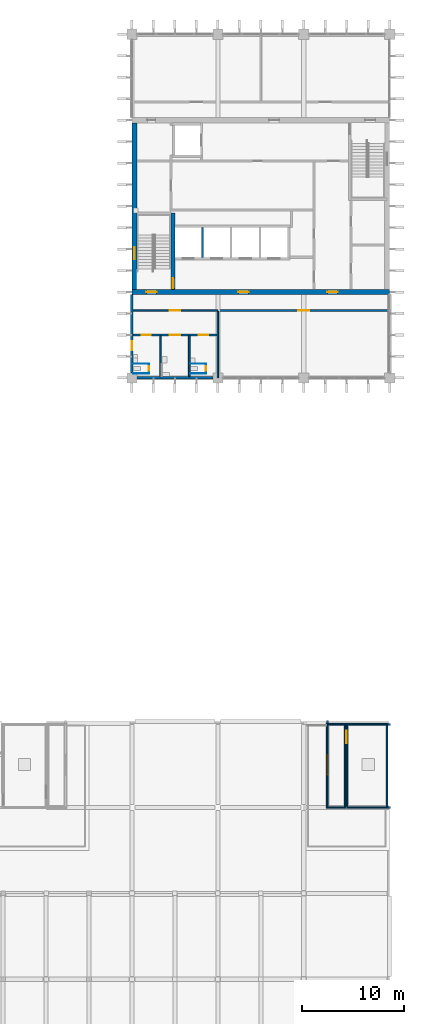
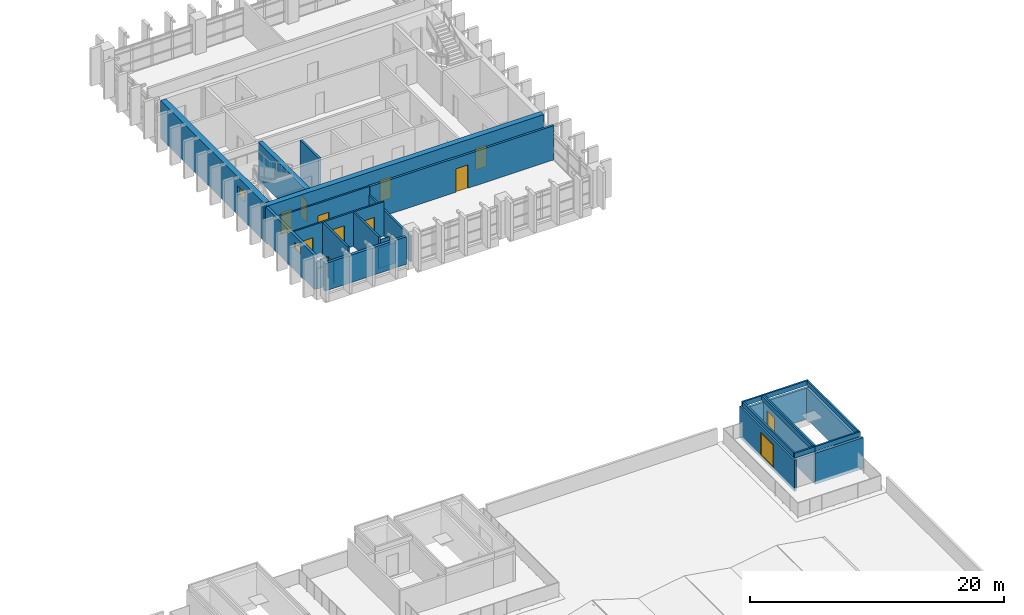
# One storey, part 17 of 24: 32 walls, 13 doors, 2 windows, 15 openings.
"""IFC4 building model written with IfcOpenShell, lengths in metres."""

from ifc_helpers import new_model, si_unit, direction, frame, frame_2d, origin, place, context, subcontext, project, spatial, rectangle, extrude, material, layer, layer_set, type_object, element, fill, save


model = new_model("IFC4")

# Units and contexts
model_context = context("Model", 3, precision=1e-05, world=origin(), true_north=direction((0.0, 1.0)))
body_context = subcontext(model_context, "Body", "Model", "MODEL_VIEW")
ifc_project = project(units=[si_unit("LENGTHUNIT", "METRE"), si_unit("AREAUNIT", "SQUARE_METRE"), si_unit("VOLUMEUNIT", "CUBIC_METRE"), si_unit("PLANEANGLEUNIT", "RADIAN"), si_unit("MASSUNIT", "GRAM", prefix="KILO")], contexts=[model_context])

# Site, building, storey
site_placement = place(None, origin())
site = spatial("IfcSite", under=ifc_project, at=site_placement, CompositionType="ELEMENT")
building_placement = place(site_placement, origin())
building = spatial("IfcBuilding", under=site, at=building_placement, Name="Rulbaag Community and Learning Centre", CompositionType="ELEMENT")
storey_placement = place(building_placement, frame((0.0, 0.0, 14.39990234375)))
storey = spatial("IfcBuildingStorey", under=building, at=storey_placement, Name="L03", CompositionType="ELEMENT", Elevation=14.39990234375)

# Walls
ifc_material_1 = material(Name="High pressure laminate", Category="wood")
ifc_layer_1 = layer(ifc_material_1, 0.0400390625)
ifc_layer_set_1 = layer_set([ifc_layer_1], Name="CP-40")
wall_type_1 = type_object("IfcWallType", Name="CP-40", PredefinedType="PARTITIONING", material=ifc_layer_set_1)
wall_1_placement = place(storey_placement, frame((142.929931640625, 84.449951171875, 0.0), z_axis=(0.0, 0.0, 1.0), x_axis=(1.0, 0.0, 0.0)))
element("IfcWall", 1, at=wall_1_placement, inside=storey, type_object=wall_type_1, Name="Cubicle partition", PredefinedType="PARTITIONING", context=body_context, shape_type="SweptSolid", body=[
    extrude(rectangle(XDim=1.5400390625, YDim=0.0400390625, at=frame_2d((0.77001953125, 0.0))), origin(), (0.0, 0.0, 1.0), 2.0),
])
wall_2_placement = place(storey_placement, frame((142.925048828125, 85.389892578125, 0.0), z_axis=(0.0, 0.0, 1.0), x_axis=(1.0, 0.0, 0.0)))
element("IfcWall", 2, at=wall_2_placement, inside=storey, type_object=wall_type_1, Name="Cubicle partition", PredefinedType="PARTITIONING", context=body_context, shape_type="SweptSolid", body=[
    extrude(rectangle(XDim=1.544921875, YDim=0.0400390625, at=frame_2d((0.7724609375, 0.0))), origin(), (0.0, 0.0, 1.0), 2.0),
])

# Wall, opening, door
wall_3_placement = place(storey_placement, frame((144.449951171875, 84.469970703125, 0.0), z_axis=(0.0, 0.0, 1.0), x_axis=(0.0, 1.0, 0.0)))
wall_3 = element("IfcWall", 3, at=wall_3_placement, inside=storey, type_object=wall_type_1, Name="Cubicle partition", PredefinedType="PARTITIONING", context=body_context, shape_type="SweptSolid", body=[
    extrude(rectangle(XDim=0.900146484375, YDim=0.0400390625, at=frame_2d((0.4501953125, 0.0))), origin(), (0.0, 0.0, 1.0), 2.0),
])
opening_1_placement = place(wall_3_placement, frame((0.050048828125, 0.0, 0.0)))
opening_1 = element("IfcOpeningElement", 4, at=opening_1_placement, cuts=wall_3, Name="Opening L03-D030", PredefinedType="OPENING", context=body_context, shape_type="SweptSolid", body=[
    extrude(rectangle(XDim=0.800048828125, YDim=2.0, at=frame_2d((0.39990234375, 1.0))), frame((0.0, 0.030029296875, 0.0), z_axis=(0.0, -1.0, 0.0), x_axis=(1.0, 0.0, 0.0)), (0.0, 0.0, 1.0), 0.06005859375),
])
door_type_1 = type_object("IfcDoorType", Name="DC-80", OperationType="SINGLE_SWING_LEFT", PredefinedType="DOOR", material=ifc_material_1)
door_1_placement = place(opening_1_placement, origin())
door_1 = element("IfcDoor", 5, at=door_1_placement, inside=storey, type_object=door_type_1, Name="Cubicle door", OperationType="SINGLE_SWING_LEFT", OverallHeight=2.0, OverallWidth=0.800048828125, PredefinedType="DOOR", context=body_context, shape_type="SweptSolid", body=[
    extrude(rectangle(XDim=0.800048828125, YDim=2.0, at=frame_2d((0.39990234375, 1.0))), frame((0.0, 0.019775390625, 0.0), z_axis=(0.0, -1.0, 0.0), x_axis=(1.0, 0.0, 0.0)), (0.0, 0.0, 1.0), 0.03955078125),
])
fill(opening_1, door_1)

# Walls
for number, where, z_axis, x_axis, name in (
    (6, (148.47509765625, 84.449951171875, 0.0), (0.0, 0.0, 1.0), (1.0, 0.0, 0.0), "Cubicle partition"),
    (7, (148.47509765625, 85.389892578125, 0.0), (0.0, 0.0, 1.0), (1.0, 0.0, 0.0), "Cubicle partition"),
):
    element("IfcWall", number, at=place(storey_placement, frame(where, z_axis=z_axis, x_axis=x_axis)), inside=storey, type_object=wall_type_1, Name=name, PredefinedType="PARTITIONING", context=body_context, shape_type="SweptSolid", body=[
        extrude(rectangle(XDim=1.594970703125, YDim=0.0400390625, at=frame_2d((0.79736328125, 0.0))), origin(), (0.0, 0.0, 1.0), 2.0),
    ])

# Wall, opening, door
wall_4_placement = place(storey_placement, frame((150.050048828125, 84.469970703125, 0.0), z_axis=(0.0, 0.0, 1.0), x_axis=(0.0, 1.0, 0.0)))
wall_4 = element("IfcWall", 8, at=wall_4_placement, inside=storey, type_object=wall_type_1, Name="Cubicle partition", PredefinedType="PARTITIONING", context=body_context, shape_type="SweptSolid", body=[
    extrude(rectangle(XDim=0.900146484375, YDim=0.0400390625, at=frame_2d((0.4501953125, 0.0))), origin(), (0.0, 0.0, 1.0), 2.0),
])
opening_2_placement = place(wall_4_placement, frame((0.050048828125, 0.0, 0.0)))
opening_2 = element("IfcOpeningElement", 9, at=opening_2_placement, cuts=wall_4, Name="Opening L03-D041", PredefinedType="OPENING", context=body_context, shape_type="SweptSolid", body=[
    extrude(rectangle(XDim=0.800048828125, YDim=2.0, at=frame_2d((0.39990234375, 1.0))), frame((0.0, 0.030029296875, 0.0), z_axis=(0.0, -1.0, 0.0), x_axis=(1.0, 0.0, 0.0)), (0.0, 0.0, 1.0), 0.06005859375),
])
door_2_placement = place(opening_2_placement, origin())
door_2 = element("IfcDoor", 10, at=door_2_placement, inside=storey, type_object=door_type_1, Name="Cubicle door", OperationType="SINGLE_SWING_LEFT", OverallHeight=2.0, OverallWidth=0.800048828125, PredefinedType="DOOR", context=body_context, shape_type="SweptSolid", body=[
    extrude(rectangle(XDim=0.800048828125, YDim=2.0, at=frame_2d((0.39990234375, 1.0))), frame((0.0, 0.019775390625, 0.0), z_axis=(0.0, -1.0, 0.0), x_axis=(1.0, 0.0, 0.0)), (0.0, 0.0, 1.0), 0.03955078125),
])
fill(opening_2, door_2)

# Wall
ifc_material_2 = material(Name="Concrete M40", Category="concrete")
ifc_layer_2 = layer(ifc_material_2, 0.25)
ifc_layer_set_2 = layer_set([ifc_layer_2], Name="EW-CONC250")
wall_type_2 = type_object("IfcWallType", Name="EW-CONC250", PredefinedType="STANDARD", material=ifc_layer_set_2)
wall_5_placement = place(storey_placement, frame((143.300048828125, 84.0, 0.0), z_axis=(0.0, 0.0, 1.0), x_axis=(1.0, 0.0, 0.0)))
element("IfcWall", 11, at=wall_5_placement, inside=storey, type_object=wall_type_2, Name="Board-marked concrete cladding wall BS", PredefinedType="STANDARD", context=body_context, shape_type="SweptSolid", body=[
    extrude(rectangle(XDim=7.39990234375, YDim=0.25, at=frame_2d((3.699951171875, 0.0))), origin(), (0.0, 0.0, 1.0), 2.650146484375),
])

# Wall, opening, window
wall_6_placement = place(storey_placement, frame((142.800048828125, 84.5, 0.0), z_axis=(0.0, 0.0, 1.0), x_axis=(0.0, 1.0, 0.0)))
wall_6 = element("IfcWall", 12, at=wall_6_placement, inside=storey, type_object=wall_type_2, Name="Board-marked concrete cladding wall BW", PredefinedType="STANDARD", context=body_context, shape_type="SweptSolid", body=[
    extrude(rectangle(XDim=7.64990234375, YDim=0.25, at=frame_2d((3.824951171875, 0.0))), origin(), (0.0, 0.0, 1.0), 3.300048828125),
])
opening_3_placement = place(wall_6_placement, frame((2.199951171875, 0.0, 2.10009765625)))
opening_3 = element("IfcOpeningElement", 13, at=opening_3_placement, cuts=wall_6, Name="Opening WN5", PredefinedType="OPENING", context=body_context, shape_type="SweptSolid", body=[
    extrude(rectangle(XDim=0.89990234375, YDim=0.60009765625, at=frame_2d((0.449951171875, 0.300048828125))), frame((0.0, 0.135009765625, 0.0), z_axis=(0.0, -1.0, 0.0), x_axis=(1.0, 0.0, 0.0)), (0.0, 0.0, 1.0), 0.27001953125),
])
ifc_material_3 = material(Name="Aluminium", Category="aluminium")
window_type_1 = type_object("IfcWindowType", Name="WK-09", PartitioningType="SINGLE_PANEL", PredefinedType="WINDOW", material=ifc_material_3)
window_1_placement = place(opening_3_placement, origin())
window_1 = element("IfcWindow", 14, at=window_1_placement, inside=storey, type_object=window_type_1, Name="Window WN5", OverallHeight=0.60009765625, OverallWidth=0.89990234375, PartitioningType="SINGLE_PANEL", PredefinedType="WINDOW", context=body_context, shape_type="SweptSolid", body=[
    extrude(rectangle(XDim=0.89990234375, YDim=0.60009765625, at=frame_2d((0.449951171875, 0.300048828125))), frame((0.0, 0.030029296875, 0.0), z_axis=(0.0, -1.0, 0.0), x_axis=(1.0, 0.0, 0.0)), (0.0, 0.0, 1.0), 0.06005859375),
])
fill(opening_3, window_1)

# Walls
ifc_layer_3 = layer(ifc_material_2, 0.14990234375)
ifc_layer_set_3 = layer_set([ifc_layer_3], Name="EW-PAR150")
wall_type_3 = type_object("IfcWallType", Name="EW-PAR150", PredefinedType="PARAPET", material=ifc_layer_set_3)
for number, where, z_axis, x_axis, name in (
    (15, (163.699951171875, 41.97509765625, 2.900146484375), (0.0, 0.0, 1.0), (1.0, 0.0, 0.0), "Precast concrete roof upstand with drip nose, head house roofs"),
    (16, (163.699951171875, 50.14990234375, 2.900146484375), (0.0, 0.0, 1.0), (1.0, 0.0, 0.0), "Precast concrete roof upstand with drip nose, head house roofs"),
):
    element("IfcWall", number, at=place(storey_placement, frame(where, z_axis=z_axis, x_axis=x_axis)), inside=storey, type_object=wall_type_3, Name=name, PredefinedType="PARAPET", context=body_context, shape_type="SweptSolid", body=[
        extrude(rectangle(XDim=4.125, YDim=0.14990234375, at=frame_2d((2.0625, 0.0))), origin(), (0.0, 0.0, 1.0), 0.449951171875),
    ])
for number, where, z_axis, x_axis, name in (
    (17, (163.77490234375, 42.050048828125, 2.900146484375), (0.0, 0.0, 1.0), (0.0, 1.0, 0.0), "Precast concrete roof upstand with drip nose, head house roofs"),
    (18, (167.75, 42.050048828125, 2.900146484375), (0.0, 0.0, 1.0), (0.0, 1.0, 0.0), "Precast concrete roof upstand with drip nose, head house roofs"),
):
    element("IfcWall", number, at=place(storey_placement, frame(where, z_axis=z_axis, x_axis=x_axis)), inside=storey, type_object=wall_type_3, Name=name, PredefinedType="PARAPET", context=body_context, shape_type="SweptSolid", body=[
        extrude(rectangle(XDim=8.02490234375, YDim=0.14990234375, at=frame_2d((4.012451171875, 0.0))), origin(), (0.0, 0.0, 1.0), 0.449951171875),
    ])
for number, where, z_axis, x_axis, name in (
    (19, (161.800048828125, 41.97509765625, 2.900146484375), (0.0, 0.0, 1.0), (1.0, 0.0, 0.0), "Precast concrete roof upstand with drip nose, head house roofs"),
    (20, (161.800048828125, 50.14990234375, 2.900146484375), (0.0, 0.0, 1.0), (1.0, 0.0, 0.0), "Precast concrete roof upstand with drip nose, head house roofs"),
):
    element("IfcWall", number, at=place(storey_placement, frame(where, z_axis=z_axis, x_axis=x_axis)), inside=storey, type_object=wall_type_3, Name=name, PredefinedType="PARAPET", context=body_context, shape_type="SweptSolid", body=[
        extrude(rectangle(XDim=1.89990234375, YDim=0.14990234375, at=frame_2d((0.949951171875, 0.0))), origin(), (0.0, 0.0, 1.0), 0.449951171875),
    ])
for number, where, z_axis, x_axis, name in (
    (21, (161.875, 42.050048828125, 2.900146484375), (0.0, 0.0, 1.0), (0.0, 1.0, 0.0), "Precast concrete roof upstand with drip nose, head house roofs"),
    (22, (163.625, 42.050048828125, 2.900146484375), (0.0, 0.0, 1.0), (0.0, 1.0, 0.0), "Precast concrete roof upstand with drip nose, head house roofs"),
):
    element("IfcWall", number, at=place(storey_placement, frame(where, z_axis=z_axis, x_axis=x_axis)), inside=storey, type_object=wall_type_3, Name=name, PredefinedType="PARAPET", context=body_context, shape_type="SweptSolid", body=[
        extrude(rectangle(XDim=8.02490234375, YDim=0.14990234375, at=frame_2d((4.012451171875, 0.0))), origin(), (0.0, 0.0, 1.0), 0.449951171875),
    ])

# Wall, opening, door
ifc_material_4 = material(Name="Concrete blockwork", Category="masonry")
ifc_layer_4 = layer(ifc_material_4, 0.199951171875)
ifc_layer_set_4 = layer_set([ifc_layer_4], Name="FW-200 FIRE WALL 200")
wall_type_4 = type_object("IfcWallType", Name="FW-200 FIRE WALL 200", PredefinedType="SOLIDWALL", material=ifc_layer_set_4)
wall_7_placement = place(storey_placement, frame((151.199951171875, 90.60009765625, 0.0), z_axis=(0.0, 0.0, 1.0), x_axis=(1.0, 0.0, 0.0)))
wall_7 = element("IfcWall", 23, at=wall_7_placement, inside=storey, type_object=wall_type_4, Name="Fire wall L03 12", PredefinedType="SOLIDWALL", context=body_context, shape_type="SweptSolid", body=[
    extrude(rectangle(XDim=16.800048828125, YDim=0.199951171875, at=frame_2d((8.39990234375, 0.0))), origin(), (0.0, 0.0, 1.0), 3.300048828125),
])
opening_4_placement = place(wall_7_placement, frame((7.85009765625, 0.0, 0.0)))
opening_4 = element("IfcOpeningElement", 24, at=opening_4_placement, cuts=wall_7, Name="Opening L03-D048", PredefinedType="OPENING", context=body_context, shape_type="SweptSolid", body=[
    extrude(rectangle(XDim=1.10009765625, YDim=2.25, at=frame_2d((0.550048828125, 1.125))), frame((0.0, 0.10986328125, 0.0), z_axis=(0.0, -1.0, 0.0), x_axis=(1.0, 0.0, 0.0)), (0.0, 0.0, 1.0), 0.219970703125),
])
ifc_material_5 = material(Name="Timber", Category="wood")
door_type_2 = type_object("IfcDoorType", Name="D-1100 OFFICE SUITE ENTRANCE DOOR 1100 x 2250", OperationType="SINGLE_SWING_LEFT", PredefinedType="DOOR", material=ifc_material_5)
door_3_placement = place(opening_4_placement, origin())
door_3 = element("IfcDoor", 25, at=door_3_placement, inside=storey, type_object=door_type_2, Name="Door L03-D048", OperationType="SINGLE_SWING_LEFT", OverallHeight=2.25, OverallWidth=1.10009765625, PredefinedType="DOOR", context=body_context, shape_type="SweptSolid", body=[
    extrude(rectangle(XDim=1.10009765625, YDim=2.25, at=frame_2d((0.550048828125, 1.125))), frame((0.0, 0.02490234375, 0.0), z_axis=(0.0, -1.0, 0.0), x_axis=(1.0, 0.0, 0.0)), (0.0, 0.0, 1.0), 0.050048828125),
])
fill(opening_4, door_3)

# Wall, openings, doors
ifc_layer_5 = layer(ifc_material_4, 0.14990234375)
ifc_layer_set_5 = layer_set([ifc_layer_5], Name="IP-150 PARTITION 150")
wall_type_5 = type_object("IfcWallType", Name="IP-150 PARTITION 150", PredefinedType="PARTITIONING", material=ifc_layer_set_5)
wall_8_placement = place(storey_placement, frame((142.925048828125, 88.199951171875, 0.0), z_axis=(0.0, 0.0, 1.0), x_axis=(1.0, 0.0, 0.0)))
wall_8 = element("IfcWall", 26, at=wall_8_placement, inside=storey, type_object=wall_type_5, Name="Partition L03 10", PredefinedType="PARTITIONING", context=body_context, shape_type="SweptSolid", body=[
    extrude(rectangle(XDim=8.199951171875, YDim=0.14990234375, at=frame_2d((4.10009765625, 0.0))), origin(), (0.0, 0.0, 1.0), 3.300048828125),
])
opening_5_placement = place(wall_8_placement, frame((0.824951171875, 0.0, 0.0)))
opening_5 = element("IfcOpeningElement", 27, at=opening_5_placement, cuts=wall_8, Name="Opening L03-D029", PredefinedType="OPENING", context=body_context, shape_type="SweptSolid", body=[
    extrude(rectangle(XDim=0.89990234375, YDim=2.10009765625, at=frame_2d((0.449951171875, 1.050048828125))), frame((0.0, 0.0849609375, 0.0), z_axis=(0.0, -1.0, 0.0), x_axis=(1.0, 0.0, 0.0)), (0.0, 0.0, 1.0), 0.169921875),
])
opening_6_placement = place(wall_8_placement, frame((3.550048828125, 0.0, 0.0)))
opening_6 = element("IfcOpeningElement", 28, at=opening_6_placement, cuts=wall_8, Name="Opening L03-D035", PredefinedType="OPENING", context=body_context, shape_type="SweptSolid", body=[
    extrude(rectangle(XDim=1.050048828125, YDim=2.25, at=frame_2d((0.52490234375, 1.125))), frame((0.0, 0.0849609375, 0.0), z_axis=(0.0, -1.0, 0.0), x_axis=(1.0, 0.0, 0.0)), (0.0, 0.0, 1.0), 0.169921875),
])
opening_7_placement = place(wall_8_placement, frame((6.425048828125, 0.0, 0.0)))
opening_7 = element("IfcOpeningElement", 29, at=opening_7_placement, cuts=wall_8, Name="Opening L03-D040", PredefinedType="OPENING", context=body_context, shape_type="SweptSolid", body=[
    extrude(rectangle(XDim=0.89990234375, YDim=2.10009765625, at=frame_2d((0.449951171875, 1.050048828125))), frame((0.0, 0.0849609375, 0.0), z_axis=(0.0, -1.0, 0.0), x_axis=(1.0, 0.0, 0.0)), (0.0, 0.0, 1.0), 0.169921875),
])
door_type_3 = type_object("IfcDoorType", Name="D-1050 ACCESSIBLE TOILET DOOR 1050 x 2250", OperationType="SINGLE_SWING_LEFT", PredefinedType="DOOR", material=ifc_material_5)
door_4_placement = place(opening_6_placement, origin())
door_4 = element("IfcDoor", 30, at=door_4_placement, inside=storey, type_object=door_type_3, Name="Door L03-D035", OperationType="SINGLE_SWING_LEFT", OverallHeight=2.25, OverallWidth=1.050048828125, PredefinedType="DOOR", context=body_context, shape_type="SweptSolid", body=[
    extrude(rectangle(XDim=1.050048828125, YDim=2.25, at=frame_2d((0.52490234375, 1.125))), frame((0.0, 0.02490234375, 0.0), z_axis=(0.0, -1.0, 0.0), x_axis=(1.0, 0.0, 0.0)), (0.0, 0.0, 1.0), 0.050048828125),
])
fill(opening_6, door_4)
door_type_4 = type_object("IfcDoorType", Name="DW-900 TOILET DOOR 900 x 2100", OperationType="SINGLE_SWING_LEFT", PredefinedType="DOOR", material=ifc_material_5)
door_5_placement = place(opening_5_placement, origin())
door_5 = element("IfcDoor", 31, at=door_5_placement, inside=storey, type_object=door_type_4, Name="Door L03-D029", OperationType="SINGLE_SWING_LEFT", OverallHeight=2.10009765625, OverallWidth=0.89990234375, PredefinedType="DOOR", context=body_context, shape_type="SweptSolid", body=[
    extrude(rectangle(XDim=0.89990234375, YDim=2.10009765625, at=frame_2d((0.449951171875, 1.050048828125))), frame((0.0, 0.02490234375, 0.0), z_axis=(0.0, -1.0, 0.0), x_axis=(1.0, 0.0, 0.0)), (0.0, 0.0, 1.0), 0.050048828125),
])
fill(opening_5, door_5)
door_6_placement = place(opening_7_placement, origin())
door_6 = element("IfcDoor", 32, at=door_6_placement, inside=storey, type_object=door_type_4, Name="Door L03-D040", OperationType="SINGLE_SWING_RIGHT", OverallHeight=2.10009765625, OverallWidth=0.89990234375, PredefinedType="DOOR", context=body_context, shape_type="SweptSolid", body=[
    extrude(rectangle(XDim=0.89990234375, YDim=2.10009765625, at=frame_2d((0.449951171875, 1.050048828125))), frame((0.0, 0.02490234375, 0.0), z_axis=(0.0, -1.0, 0.0), x_axis=(1.0, 0.0, 0.0)), (0.0, 0.0, 1.0), 0.050048828125),
])
fill(opening_7, door_6)

# Wall, opening, door
wall_9_placement = place(storey_placement, frame((142.925048828125, 90.60009765625, 0.0), z_axis=(0.0, 0.0, 1.0), x_axis=(1.0, 0.0, 0.0)))
wall_9 = element("IfcWall", 33, at=wall_9_placement, inside=storey, type_object=wall_type_5, Name="Partition L03 11", PredefinedType="PARTITIONING", context=body_context, shape_type="SweptSolid", body=[
    extrude(rectangle(XDim=8.27490234375, YDim=0.14990234375, at=frame_2d((4.137451171875, 0.0))), origin(), (0.0, 0.0, 1.0), 3.300048828125),
])
opening_8_placement = place(wall_9_placement, frame((3.574951171875, 0.0, 0.0)))
opening_8 = element("IfcOpeningElement", 34, at=opening_8_placement, cuts=wall_9, Name="Opening L03-D036", PredefinedType="OPENING", context=body_context, shape_type="SweptSolid", body=[
    extrude(rectangle(XDim=1.0, YDim=2.10009765625, at=frame_2d((0.5, 1.050048828125))), frame((0.0, 0.0849609375, 0.0), z_axis=(0.0, -1.0, 0.0), x_axis=(1.0, 0.0, 0.0)), (0.0, 0.0, 1.0), 0.169921875),
])
door_type_5 = type_object("IfcDoorType", Name="D-1000 DOOR 1000 x 2100", OperationType="SINGLE_SWING_LEFT", PredefinedType="DOOR", material=ifc_material_5)
door_7_placement = place(opening_8_placement, origin())
door_7 = element("IfcDoor", 35, at=door_7_placement, inside=storey, type_object=door_type_5, Name="Door L03-D036", OperationType="SINGLE_SWING_RIGHT", OverallHeight=2.10009765625, OverallWidth=1.0, PredefinedType="DOOR", context=body_context, shape_type="SweptSolid", body=[
    extrude(rectangle(XDim=1.0, YDim=2.10009765625, at=frame_2d((0.5, 1.050048828125))), frame((0.0, 0.02490234375, 0.0), z_axis=(0.0, -1.0, 0.0), x_axis=(1.0, 0.0, 0.0)), (0.0, 0.0, 1.0), 0.050048828125),
])
fill(opening_8, door_7)

# Walls
for number, where, z_axis, x_axis, name in (
    (36, (145.60009765625, 84.125, 0.0), (0.0, 0.0, 1.0), (0.0, 1.0, 0.0), "Partition L03 22"),
    (37, (148.39990234375, 84.125, 0.0), (0.0, 0.0, 1.0), (0.0, 1.0, 0.0), "Partition L03 25"),
):
    element("IfcWall", number, at=place(storey_placement, frame(where, z_axis=z_axis, x_axis=x_axis)), inside=storey, type_object=wall_type_5, Name=name, PredefinedType="PARTITIONING", context=body_context, shape_type="SweptSolid", body=[
        extrude(rectangle(XDim=4.0, YDim=0.14990234375, at=frame_2d((2.0, 0.0))), origin(), (0.0, 0.0, 1.0), 3.300048828125),
    ])
wall_10_placement = place(storey_placement, frame((151.199951171875, 84.0, 0.0), z_axis=(0.0, 0.0, 1.0), x_axis=(0.0, 1.0, 0.0)))
element("IfcWall", 38, at=wall_10_placement, inside=storey, type_object=wall_type_5, Name="Partition L03 27", PredefinedType="PARTITIONING", context=body_context, shape_type="SweptSolid", body=[
    extrude(rectangle(XDim=6.5, YDim=0.14990234375, at=frame_2d((3.25, 0.0))), origin(), (0.0, 0.0, 1.0), 2.5),
])
ifc_layer_6 = layer(ifc_material_2, 0.199951171875)
ifc_layer_set_6 = layer_set([ifc_layer_6], Name="W14 Stair head wall 200 Concrete M40")
wall_type_6 = type_object("IfcWallType", Name="W14 Stair head wall 200 Concrete M40", PredefinedType="SHEAR", material=ifc_layer_set_6)
for number, where, z_axis, x_axis, name in (
    (39, (163.699951171875, 42.0, -0.2998046875), (0.0, 0.0, 1.0), (1.0, 0.0, 0.0), "WL-HEAD-SH4-S"),
    (40, (163.699951171875, 50.125, -0.2998046875), (0.0, 0.0, 1.0), (1.0, 0.0, 0.0), "WL-HEAD-SH4-N"),
):
    element("IfcWall", number, at=place(storey_placement, frame(where, z_axis=z_axis, x_axis=x_axis)), inside=storey, type_object=wall_type_6, Name=name, PredefinedType="SHEAR", context=body_context, shape_type="SweptSolid", body=[
        extrude(rectangle(XDim=4.400146484375, YDim=0.199951171875, at=frame_2d((2.2001953125, 0.0))), origin(), (0.0, 0.0, 1.0), 3.0),
    ])

# Wall, opening, door
wall_11_placement = place(storey_placement, frame((163.800048828125, 42.10009765625, -0.2998046875), z_axis=(0.0, 0.0, 1.0), x_axis=(0.0, 1.0, 0.0)))
wall_11 = element("IfcWall", 41, at=wall_11_placement, inside=storey, type_object=wall_type_6, Name="WL-HEAD-SH4-W", PredefinedType="SHEAR", context=body_context, shape_type="SweptSolid", body=[
    extrude(rectangle(XDim=7.9248046875, YDim=0.199951171875, at=frame_2d((3.96240234375, 0.0))), origin(), (0.0, 0.0, 1.0), 3.0),
])
opening_9_placement = place(wall_11_placement, frame((6.199951171875, 0.0, 0.300048828125)))
opening_9 = element("IfcOpeningElement", 42, at=opening_9_placement, cuts=wall_11, Name="Opening L03-D057", PredefinedType="OPENING", context=body_context, shape_type="SweptSolid", body=[
    extrude(rectangle(XDim=1.199951171875, YDim=2.199951171875, at=frame_2d((0.60009765625, 1.10009765625))), frame((0.0, 0.10986328125, 0.0), z_axis=(0.0, -1.0, 0.0), x_axis=(1.0, 0.0, 0.0)), (0.0, 0.0, 1.0), 0.219970703125),
])
ifc_material_6 = material(Name="Galvanised steel", Category="steel")
door_type_6 = type_object("IfcDoorType", Name="DT-12", OperationType="SINGLE_SWING_LEFT", PredefinedType="DOOR", material=ifc_material_6)
door_8_placement = place(opening_9_placement, origin())
door_8 = element("IfcDoor", 43, at=door_8_placement, inside=storey, type_object=door_type_6, Name="Lobby door L5", OperationType="SINGLE_SWING_LEFT", OverallHeight=2.199951171875, OverallWidth=1.199951171875, PredefinedType="DOOR", context=body_context, shape_type="SweptSolid", body=[
    extrude(rectangle(XDim=1.199951171875, YDim=2.199951171875, at=frame_2d((0.60009765625, 1.10009765625))), frame((0.0, 0.02490234375, 0.0), z_axis=(0.0, -1.0, 0.0), x_axis=(1.0, 0.0, 0.0)), (0.0, 0.0, 1.0), 0.050048828125),
])
fill(opening_9, door_8)

# Walls
wall_12_placement = place(storey_placement, frame((167.72509765625, 42.10009765625, -0.2998046875), z_axis=(0.0, 0.0, 1.0), x_axis=(0.0, 1.0, 0.0)))
element("IfcWall", 44, at=wall_12_placement, inside=storey, type_object=wall_type_6, Name="WL-HEAD-SH4-E", PredefinedType="SHEAR", context=body_context, shape_type="SweptSolid", body=[
    extrude(rectangle(XDim=7.9248046875, YDim=0.199951171875, at=frame_2d((3.96240234375, 0.0))), origin(), (0.0, 0.0, 1.0), 3.0),
])
wall_13_placement = place(storey_placement, frame((163.800048828125, 50.125, -0.2998046875), z_axis=(0.0, 0.0, 1.0), x_axis=(-1.0, 0.0, 0.0)))
element("IfcWall", 45, at=wall_13_placement, inside=storey, type_object=wall_type_6, Name="WL-LOBBY-SH4-N", PredefinedType="SHEAR", context=body_context, shape_type="SweptSolid", body=[
    extrude(rectangle(XDim=1.900146484375, YDim=0.199951171875, at=frame_2d((0.9501953125, 0.0))), origin(), (0.0, 0.0, 1.0), 3.0),
])

# Wall, opening, door
wall_14_placement = place(storey_placement, frame((161.89990234375, 41.89990234375, -0.2998046875), z_axis=(0.0, 0.0, 1.0), x_axis=(0.0, 1.0, 0.0)))
wall_14 = element("IfcWall", 46, at=wall_14_placement, inside=storey, type_object=wall_type_6, Name="WL-LOBBY-SH4-O", PredefinedType="SHEAR", context=body_context, shape_type="SweptSolid", body=[
    extrude(rectangle(XDim=8.60009765625, YDim=0.199951171875, at=frame_2d((4.300048828125, 0.0))), origin(), (0.0, 0.0, 1.0), 3.0),
])
opening_10_placement = place(wall_14_placement, frame((3.25, 0.0, 0.300048828125)))
opening_10 = element("IfcOpeningElement", 47, at=opening_10_placement, cuts=wall_14, Name="Opening L03-D053", PredefinedType="OPENING", context=body_context, shape_type="SweptSolid", body=[
    extrude(rectangle(XDim=2.10009765625, YDim=2.199951171875, at=frame_2d((1.050048828125, 1.10009765625))), frame((0.0, 0.10986328125, 0.0), z_axis=(0.0, -1.0, 0.0), x_axis=(1.0, 0.0, 0.0)), (0.0, 0.0, 1.0), 0.219970703125),
])
door_type_7 = type_object("IfcDoorType", Name="DX-21", OperationType="DOUBLE_DOOR_SINGLE_SWING", PredefinedType="DOOR", material=ifc_material_6)
door_9_placement = place(opening_10_placement, origin())
door_9 = element("IfcDoor", 48, at=door_9_placement, inside=storey, type_object=door_type_7, Name="Terrace door T5", OperationType="DOUBLE_DOOR_SINGLE_SWING", OverallHeight=2.199951171875, OverallWidth=2.10009765625, PredefinedType="DOOR", context=body_context, shape_type="SweptSolid", body=[
    extrude(rectangle(XDim=2.10009765625, YDim=0.012939453125, at=frame_2d((1.050048828125, 0.006591796875))), frame((0.0, 0.087890625, 0.0), z_axis=(0.0, -1.0, 0.0), x_axis=(1.0, 0.0, 0.0)), (0.0, 0.0, 1.0), 0.176025390625),
    extrude(rectangle(XDim=0.074951171875, YDim=2.112060546875, at=frame_2d((0.03759765625, 1.069091796875))), frame((0.0, 0.09814453125, 0.0), z_axis=(0.0, -1.0, 0.0), x_axis=(1.0, 0.0, 0.0)), (0.0, 0.0, 1.0), 0.196044921875),
    extrude(rectangle(XDim=0.074951171875, YDim=2.112060546875, at=frame_2d((2.0625, 1.069091796875))), frame((0.0, 0.09814453125, 0.0), z_axis=(0.0, -1.0, 0.0), x_axis=(1.0, 0.0, 0.0)), (0.0, 0.0, 1.0), 0.196044921875),
    extrude(rectangle(XDim=2.10009765625, YDim=0.074951171875, at=frame_2d((1.050048828125, 2.16259765625))), frame((0.0, 0.087890625, 0.0), z_axis=(0.0, -1.0, 0.0), x_axis=(1.0, 0.0, 0.0)), (0.0, 0.0, 1.0), 0.176025390625),
    extrude(rectangle(XDim=1.9501953125, YDim=2.112060546875, at=frame_2d((1.050048828125, 1.069091796875))), frame((0.0, 0.02490234375, 0.0), z_axis=(0.0, -1.0, 0.0), x_axis=(1.0, 0.0, 0.0)), (0.0, 0.0, 1.0), 0.050048828125),
])
fill(opening_10, door_9)

# Wall, openings, doors
ifc_material_7 = material(Name="Concrete M60", Category="concrete")
ifc_layer_7 = layer(ifc_material_7, 0.5)
ifc_layer_set_7 = layer_set([ifc_layer_7], Name="W4 Core wall 500 Concrete M60")
wall_type_7 = type_object("IfcWallType", Name="W4 Core wall 500 Concrete M60", PredefinedType="SHEAR", material=ifc_layer_set_7)
wall_15_placement = place(storey_placement, frame((142.800048828125, 92.39990234375, -0.2998046875), z_axis=(0.0, 0.0, 1.0), x_axis=(1.0, 0.0, 0.0)))
wall_15 = element("IfcWall", 49, at=wall_15_placement, inside=storey, type_object=wall_type_7, Name="WL-CORE-S-L03", PredefinedType="SHEAR", context=body_context, shape_type="SweptSolid", body=[
    extrude(rectangle(XDim=25.199951171875, YDim=0.5, at=frame_2d((12.60009765625, 0.0))), origin(), (0.0, 0.0, 1.0), 3.64990234375),
])
opening_11_placement = place(wall_15_placement, frame((1.39990234375, 0.0, 0.300048828125)))
opening_11 = element("IfcOpeningElement", 50, at=opening_11_placement, cuts=wall_15, Name="Opening L03-D031", PredefinedType="OPENING", context=body_context, shape_type="SweptSolid", body=[
    extrude(rectangle(XDim=1.0, YDim=2.10009765625, at=frame_2d((0.5, 1.050048828125))), frame((0.0, 0.260009765625, 0.0), z_axis=(0.0, -1.0, 0.0), x_axis=(1.0, 0.0, 0.0)), (0.0, 0.0, 1.0), 0.52001953125),
])
opening_12_placement = place(wall_15_placement, frame((19.10009765625, 0.0, 0.300048828125)))
opening_12 = element("IfcOpeningElement", 51, at=opening_12_placement, cuts=wall_15, Name="Opening L03-D054", PredefinedType="OPENING", context=body_context, shape_type="SweptSolid", body=[
    extrude(rectangle(XDim=1.0, YDim=2.10009765625, at=frame_2d((0.5, 1.050048828125))), frame((0.0, 0.260009765625, 0.0), z_axis=(0.0, -1.0, 0.0), x_axis=(1.0, 0.0, 0.0)), (0.0, 0.0, 1.0), 0.52001953125),
])
opening_13_placement = place(wall_15_placement, frame((10.39990234375, 0.0, 0.300048828125)))
opening_13 = element("IfcOpeningElement", 52, at=opening_13_placement, cuts=wall_15, Name="Opening L03-D043", PredefinedType="OPENING", context=body_context, shape_type="SweptSolid", body=[
    extrude(rectangle(XDim=1.0, YDim=2.10009765625, at=frame_2d((0.5, 1.050048828125))), frame((0.0, 0.260009765625, 0.0), z_axis=(0.0, -1.0, 0.0), x_axis=(1.0, 0.0, 0.0)), (0.0, 0.0, 1.0), 0.52001953125),
])
door_10_placement = place(opening_12_placement, origin())
door_10 = element("IfcDoor", 53, at=door_10_placement, inside=storey, type_object=door_type_5, Name="Door L03-D054", OperationType="SINGLE_SWING_LEFT", OverallHeight=2.10009765625, OverallWidth=1.0, PredefinedType="DOOR", context=body_context, shape_type="SweptSolid", body=[
    extrude(rectangle(XDim=1.0, YDim=2.10009765625, at=frame_2d((0.5, 1.050048828125))), frame((0.0, 0.02490234375, 0.0), z_axis=(0.0, -1.0, 0.0), x_axis=(1.0, 0.0, 0.0)), (0.0, 0.0, 1.0), 0.050048828125),
])
fill(opening_12, door_10)
door_type_8 = type_object("IfcDoorType", Name="FD-1000 FIRE DOOR 1000 x 2100", OperationType="SINGLE_SWING_LEFT", PredefinedType="DOOR", material=ifc_material_6)
door_11_placement = place(opening_11_placement, origin())
door_11 = element("IfcDoor", 54, at=door_11_placement, inside=storey, type_object=door_type_8, Name="Door L03-D031", OperationType="SINGLE_SWING_RIGHT", OverallHeight=2.10009765625, OverallWidth=1.0, PredefinedType="DOOR", context=body_context, shape_type="SweptSolid", body=[
    extrude(rectangle(XDim=1.0, YDim=2.10009765625, at=frame_2d((0.5, 1.050048828125))), frame((0.0, 0.02490234375, 0.0), z_axis=(0.0, -1.0, 0.0), x_axis=(1.0, 0.0, 0.0)), (0.0, 0.0, 1.0), 0.050048828125),
])
fill(opening_11, door_11)
door_12_placement = place(opening_13_placement, origin())
door_12 = element("IfcDoor", 55, at=door_12_placement, inside=storey, type_object=door_type_8, Name="Door L03-D043", OperationType="SINGLE_SWING_RIGHT", OverallHeight=2.10009765625, OverallWidth=1.0, PredefinedType="DOOR", context=body_context, shape_type="SweptSolid", body=[
    extrude(rectangle(XDim=1.0, YDim=2.10009765625, at=frame_2d((0.5, 1.050048828125))), frame((0.0, 0.02490234375, 0.0), z_axis=(0.0, -1.0, 0.0), x_axis=(1.0, 0.0, 0.0)), (0.0, 0.0, 1.0), 0.050048828125),
])
fill(opening_13, door_12)

# Wall, opening, window
wall_16_placement = place(storey_placement, frame((143.050048828125, 92.64990234375, -0.2998046875), z_axis=(0.0, 0.0, 1.0), x_axis=(0.0, 1.0, 0.0)))
wall_16 = element("IfcWall", 56, at=wall_16_placement, inside=storey, type_object=wall_type_7, Name="WL-CORE-W-L03", PredefinedType="SHEAR", context=body_context, shape_type="SweptSolid", body=[
    extrude(rectangle(XDim=16.300048828125, YDim=0.5, at=frame_2d((8.14990234375, 0.0))), origin(), (0.0, 0.0, 1.0), 3.64990234375),
])
opening_14_placement = place(wall_16_placement, frame((2.949951171875, 0.0, 1.89990234375)))
opening_14 = element("IfcOpeningElement", 57, at=opening_14_placement, cuts=wall_16, Name="Opening WN19", PredefinedType="OPENING", context=body_context, shape_type="SweptSolid", body=[
    extrude(rectangle(XDim=1.199951171875, YDim=0.89990234375, at=frame_2d((0.60009765625, 0.449951171875))), frame((0.0, 0.260009765625, 0.0), z_axis=(0.0, -1.0, 0.0), x_axis=(1.0, 0.0, 0.0)), (0.0, 0.0, 1.0), 0.52001953125),
])
window_type_2 = type_object("IfcWindowType", Name="WS-12", PartitioningType="SINGLE_PANEL", PredefinedType="WINDOW", material=ifc_material_3)
window_2_placement = place(opening_14_placement, origin())
window_2 = element("IfcWindow", 58, at=window_2_placement, inside=storey, type_object=window_type_2, Name="Stair window", OverallHeight=0.89990234375, OverallWidth=1.199951171875, PartitioningType="SINGLE_PANEL", PredefinedType="WINDOW", context=body_context, shape_type="SweptSolid", body=[
    extrude(rectangle(XDim=1.199951171875, YDim=0.89990234375, at=frame_2d((0.60009765625, 0.449951171875))), frame((0.0, 0.030029296875, 0.0), z_axis=(0.0, -1.0, 0.0), x_axis=(1.0, 0.0, 0.0)), (0.0, 0.0, 1.0), 0.06005859375),
])
fill(opening_14, window_2)

# Wall
ifc_layer_8 = layer(ifc_material_2, 0.199951171875)
ifc_layer_set_8 = layer_set([ifc_layer_8], Name="W6 Shaft divider 200 Concrete M40")
wall_type_8 = type_object("IfcWallType", Name="W6 Shaft divider 200 Concrete M40", PredefinedType="SHEAR", material=ifc_layer_set_8)
wall_17_placement = place(storey_placement, frame((149.699951171875, 95.800048828125, -0.2998046875), z_axis=(0.0, 0.0, 1.0), x_axis=(0.0, 1.0, 0.0)))
element("IfcWall", 59, at=wall_17_placement, inside=storey, type_object=wall_type_8, Name="WL-LP-D1-L03", PredefinedType="SHEAR", context=body_context, shape_type="SweptSolid", body=[
    extrude(rectangle(XDim=2.89990234375, YDim=0.199951171875, at=frame_2d((1.449951171875, 0.0))), origin(), (0.0, 0.0, 1.0), 3.64990234375),
])

# Wall, opening, door
ifc_layer_9 = layer(ifc_material_2, 0.39990234375)
ifc_layer_set_9 = layer_set([ifc_layer_9], Name="W7 Stair wall 400 Concrete M40")
wall_type_9 = type_object("IfcWallType", Name="W7 Stair wall 400 Concrete M40", PredefinedType="SHEAR", material=ifc_layer_set_9)
wall_18_placement = place(storey_placement, frame((146.800048828125, 92.64990234375, -0.2998046875), z_axis=(0.0, 0.0, 1.0), x_axis=(0.0, 1.0, 0.0)))
wall_18 = element("IfcWall", 60, at=wall_18_placement, inside=storey, type_object=wall_type_9, Name="WL-ST1-E-L03", PredefinedType="SHEAR", context=body_context, shape_type="SweptSolid", body=[
    extrude(rectangle(XDim=7.47509765625, YDim=0.39990234375, at=frame_2d((3.737548828125, 0.0))), origin(), (0.0, 0.0, 1.0), 3.64990234375),
])
opening_15_placement = place(wall_18_placement, frame((0.10009765625, 0.0, 0.300048828125)))
opening_15 = element("IfcOpeningElement", 61, at=opening_15_placement, cuts=wall_18, Name="Opening L03-D034", PredefinedType="OPENING", context=body_context, shape_type="SweptSolid", body=[
    extrude(rectangle(XDim=1.0, YDim=2.10009765625, at=frame_2d((0.5, 1.050048828125))), frame((0.0, 0.2099609375, 0.0), z_axis=(0.0, -1.0, 0.0), x_axis=(1.0, 0.0, 0.0)), (0.0, 0.0, 1.0), 0.419921875),
])
door_13_placement = place(opening_15_placement, origin())
door_13 = element("IfcDoor", 62, at=door_13_placement, inside=storey, type_object=door_type_8, Name="Door L03-D034", OperationType="SINGLE_SWING_RIGHT", OverallHeight=2.10009765625, OverallWidth=1.0, PredefinedType="DOOR", context=body_context, shape_type="SweptSolid", body=[
    extrude(rectangle(XDim=1.0, YDim=2.10009765625, at=frame_2d((0.5, 1.050048828125))), frame((0.0, 0.02490234375, 0.0), z_axis=(0.0, -1.0, 0.0), x_axis=(1.0, 0.0, 0.0)), (0.0, 0.0, 1.0), 0.050048828125),
])
fill(opening_15, door_13)

save(model, "model.ifc")
